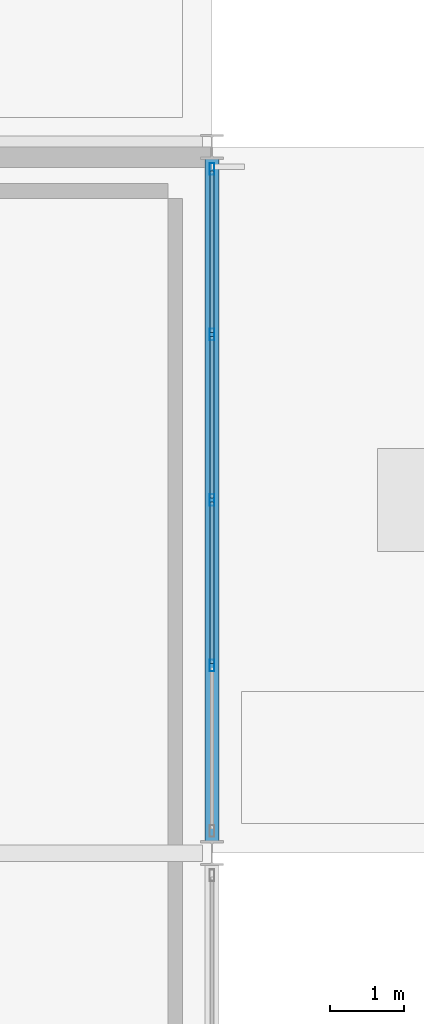
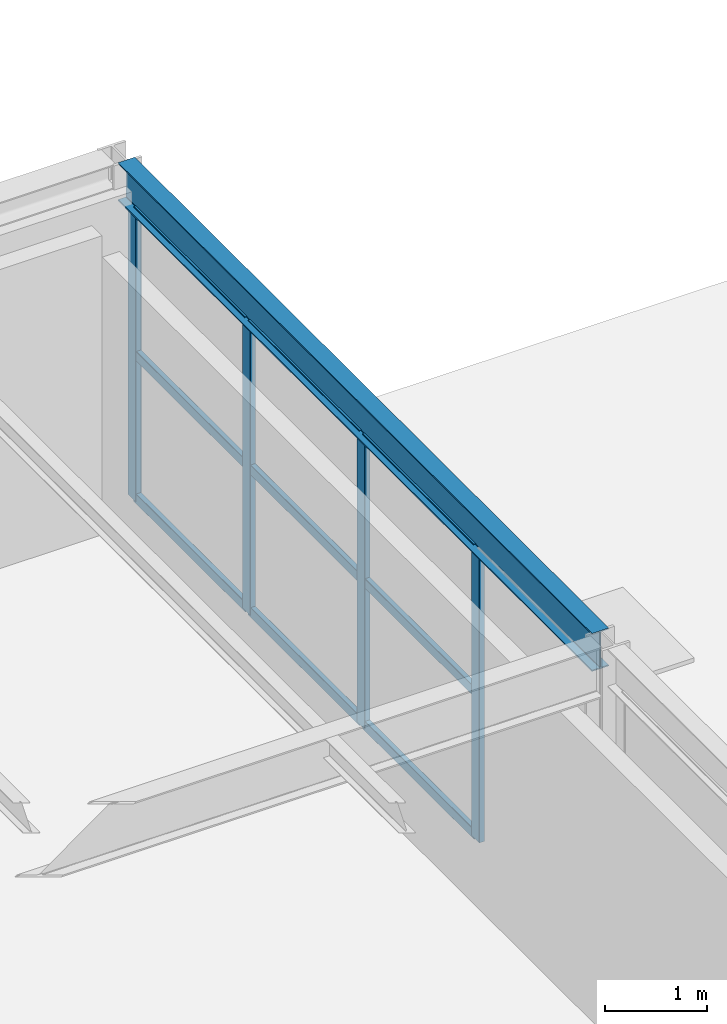
# One storey, part 37 of 126: 13 members, 1 beam, 1 element without a shape of its own.
"""IFC4 building model written with IfcOpenShell, lengths in metres."""

from ifc_helpers import new_model, si_unit, direction, frame, origin, origin_2d, place, context, subcontext, project, spatial, hollow_rectangle, i_section, extrude, material, material_profile, profile_set, type_object, element, aggregate, save


model = new_model("IFC4")

# Units and contexts
model_context = context("Model", 3, precision=1e-05, world=origin(), true_north=direction((0.0, 1.0)))
body_context = subcontext(model_context, "Body", "Model", "MODEL_VIEW")
ifc_project = project(units=[si_unit("LENGTHUNIT", "METRE"), si_unit("AREAUNIT", "SQUARE_METRE"), si_unit("VOLUMEUNIT", "CUBIC_METRE"), si_unit("PLANEANGLEUNIT", "RADIAN"), si_unit("MASSUNIT", "GRAM", prefix="KILO")], contexts=[model_context])

# Site, building, storey
site_placement = place(None, origin())
site = spatial("IfcSite", under=ifc_project, at=site_placement, CompositionType="ELEMENT")
building_placement = place(site_placement, origin())
building = spatial("IfcBuilding", under=site, at=building_placement, Name="Coralgate Yard Interchange", CompositionType="ELEMENT")
storey_placement = place(building_placement, frame((0.0, 0.0, 10.5)))
storey = spatial("IfcBuildingStorey", under=building, at=storey_placement, Name="L02", CompositionType="ELEMENT", Elevation=10.5)

# Beam
ifc_material_1 = material(Name="Structural steel S355J2", Category="steel")
ifc_material_profile_1 = material_profile(ifc_material_1, i_section(OverallWidth=0.1904296875, OverallDepth=0.45703125, WebThickness=0.009033203125, FlangeThickness=0.014404296875, FilletRadius=0.01025390625, at=origin_2d()), Name="UB 457x191x74")
ifc_profile_set_1 = profile_set([ifc_material_profile_1], Name="Structural steel S355J2")
beam_type = type_object("IfcBeamType", Name="BM-SB-2", PredefinedType="BEAM", material=ifc_profile_set_1)
beam_placement = place(storey_placement, frame((28.800048828125, 38.539794921875, 3.721435546875), z_axis=(0.0, 1.0, 0.0), x_axis=(-1.0, 0.0, 0.0)))
element("IfcBeam", 1, at=beam_placement, inside=storey, type_object=beam_type, Name="L02 primary grid girder X3 Y4-5", PredefinedType="BEAM", context=body_context, shape_type="SweptSolid", body=[
    extrude(i_section(OverallWidth=0.1904296875, OverallDepth=0.45703125, WebThickness=0.009033203125, FlangeThickness=0.014404296875, FilletRadius=0.01025390625, at=origin_2d()), origin(), (0.0, 0.0, 1.0), 9.3203125),
])

# Curtain wall, members
ifc_material_2 = material(Name="Anodised coastal aluminium and solar-control low-E glass", Category="aluminium")
curtain_wall_type = type_object("IfcCurtainWallType", Name="CW-CW-L02-A", PredefinedType="NOTDEFINED", material=ifc_material_2)
curtain_wall_placement = place(storey_placement, origin())
curtain_wall = element("IfcCurtainWall", 2, at=curtain_wall_placement, inside=storey, type_object=curtain_wall_type, Name="L02 unitised curtain wall CW-L02-E-02-04", PredefinedType="NOTDEFINED")
ifc_material_3 = material(Name="Anodised coastal aluminium 6063-T6", Category="aluminium")
ifc_material_profile_2 = material_profile(ifc_material_3, hollow_rectangle(XDim=0.06494140625, YDim=0.159912109375, WallThickness=0.00390625, InnerFilletRadius=0.00390625, OuterFilletRadius=0.008056640625, at=origin_2d()), Name="ALU 65x160x4")
ifc_profile_set_2 = profile_set([ifc_material_profile_2], Name="Anodised coastal aluminium 6063-T6")
member_type_1 = type_object("IfcMemberType", Name="MB-MUL-160", PredefinedType="MULLION", material=ifc_profile_set_2)
member_1_placement = place(storey_placement, frame((28.800048828125, 47.699951171875, 0.0), z_axis=(0.0, 0.0, 1.0), x_axis=(1.0, 0.0, 0.0)))
member_1 = element("IfcMember", 3, at=member_1_placement, type_object=member_type_1, Name="CW-L02-E-02-04 vertical mullion 1", PredefinedType="MULLION", context=body_context, shape_type="SweptSolid", body=[
    extrude(hollow_rectangle(XDim=0.06494140625, YDim=0.159912109375, WallThickness=0.00390625, InnerFilletRadius=0.00390625, OuterFilletRadius=0.008056640625, at=origin_2d()), origin(), (0.0, 0.0, 1.0), 3.492919921875),
])
member_2_placement = place(storey_placement, frame((28.800048828125, 45.449951171875, 0.0), z_axis=(0.0, 0.0, 1.0), x_axis=(1.0, 0.0, 0.0)))
member_2 = element("IfcMember", 4, at=member_2_placement, type_object=member_type_1, Name="CW-L02-E-02-04 vertical mullion 2", PredefinedType="MULLION", context=body_context, shape_type="SweptSolid", body=[
    extrude(hollow_rectangle(XDim=0.06494140625, YDim=0.159912109375, WallThickness=0.00390625, InnerFilletRadius=0.00390625, OuterFilletRadius=0.008056640625, at=origin_2d()), origin(), (0.0, 0.0, 1.0), 3.492919921875),
])
member_3_placement = place(storey_placement, frame((28.800048828125, 43.199951171875, 0.0), z_axis=(0.0, 0.0, 1.0), x_axis=(1.0, 0.0, 0.0)))
member_3 = element("IfcMember", 5, at=member_3_placement, type_object=member_type_1, Name="CW-L02-E-02-04 vertical mullion 3", PredefinedType="MULLION", context=body_context, shape_type="SweptSolid", body=[
    extrude(hollow_rectangle(XDim=0.06494140625, YDim=0.159912109375, WallThickness=0.00390625, InnerFilletRadius=0.00390625, OuterFilletRadius=0.008056640625, at=origin_2d()), origin(), (0.0, 0.0, 1.0), 3.492919921875),
])
member_4_placement = place(storey_placement, frame((28.800048828125, 40.949951171875, 0.0), z_axis=(0.0, 0.0, 1.0), x_axis=(1.0, 0.0, 0.0)))
member_4 = element("IfcMember", 6, at=member_4_placement, type_object=member_type_1, Name="CW-L02-E-02-04 vertical mullion 4", PredefinedType="MULLION", context=body_context, shape_type="SweptSolid", body=[
    extrude(hollow_rectangle(XDim=0.06494140625, YDim=0.159912109375, WallThickness=0.00390625, InnerFilletRadius=0.00390625, OuterFilletRadius=0.008056640625, at=origin_2d()), origin(), (0.0, 0.0, 1.0), 3.492919921875),
])
ifc_material_profile_3 = material_profile(ifc_material_3, hollow_rectangle(XDim=0.06005859375, YDim=0.1201171875, WallThickness=0.00341796875, InnerFilletRadius=0.00341796875, OuterFilletRadius=0.007080078125, at=origin_2d()), Name="ALU 60x120x3.5")
ifc_profile_set_3 = profile_set([ifc_material_profile_3], Name="Anodised coastal aluminium 6063-T6")
member_type_2 = type_object("IfcMemberType", Name="MB-TRN-120", PredefinedType="USERDEFINED", material=ifc_profile_set_3)
member_5_placement = place(storey_placement, frame((28.800048828125, 47.669921875, 0.034912109375), z_axis=(0.0, -1.0, 0.0), x_axis=(1.0, 0.0, 0.0)))
member_5 = element("IfcMember", 7, at=member_5_placement, type_object=member_type_2, Name="CW-L02-E-02-04 horizontal transom 1-1", ObjectType="TRANSOM", PredefinedType="USERDEFINED", context=body_context, shape_type="SweptSolid", body=[
    extrude(hollow_rectangle(XDim=0.06005859375, YDim=0.1201171875, WallThickness=0.00341796875, InnerFilletRadius=0.00341796875, OuterFilletRadius=0.007080078125, at=origin_2d()), origin(), (0.0, 0.0, 1.0), 2.18994140625),
])
member_6_placement = place(storey_placement, frame((28.800048828125, 47.669921875, 1.74658203125), z_axis=(0.0, -1.0, 0.0), x_axis=(1.0, 0.0, 0.0)))
member_6 = element("IfcMember", 8, at=member_6_placement, type_object=member_type_2, Name="CW-L02-E-02-04 horizontal transom 1-2", ObjectType="TRANSOM", PredefinedType="USERDEFINED", context=body_context, shape_type="SweptSolid", body=[
    extrude(hollow_rectangle(XDim=0.06005859375, YDim=0.1201171875, WallThickness=0.00341796875, InnerFilletRadius=0.00341796875, OuterFilletRadius=0.007080078125, at=origin_2d()), origin(), (0.0, 0.0, 1.0), 2.18994140625),
])
member_7_placement = place(storey_placement, frame((28.800048828125, 47.669921875, 3.4580078125), z_axis=(0.0, -1.0, 0.0), x_axis=(1.0, 0.0, 0.0)))
member_7 = element("IfcMember", 9, at=member_7_placement, type_object=member_type_2, Name="CW-L02-E-02-04 horizontal transom 1-3", ObjectType="TRANSOM", PredefinedType="USERDEFINED", context=body_context, shape_type="SweptSolid", body=[
    extrude(hollow_rectangle(XDim=0.06005859375, YDim=0.1201171875, WallThickness=0.00341796875, InnerFilletRadius=0.00341796875, OuterFilletRadius=0.007080078125, at=origin_2d()), origin(), (0.0, 0.0, 1.0), 2.18994140625),
])
member_8_placement = place(storey_placement, frame((28.800048828125, 45.419921875, 0.034912109375), z_axis=(0.0, -1.0, 0.0), x_axis=(1.0, 0.0, 0.0)))
member_8 = element("IfcMember", 10, at=member_8_placement, type_object=member_type_2, Name="CW-L02-E-02-04 horizontal transom 2-1", ObjectType="TRANSOM", PredefinedType="USERDEFINED", context=body_context, shape_type="SweptSolid", body=[
    extrude(hollow_rectangle(XDim=0.06005859375, YDim=0.1201171875, WallThickness=0.00341796875, InnerFilletRadius=0.00341796875, OuterFilletRadius=0.007080078125, at=origin_2d()), origin(), (0.0, 0.0, 1.0), 2.18994140625),
])
member_9_placement = place(storey_placement, frame((28.800048828125, 45.419921875, 1.74658203125), z_axis=(0.0, -1.0, 0.0), x_axis=(1.0, 0.0, 0.0)))
member_9 = element("IfcMember", 11, at=member_9_placement, type_object=member_type_2, Name="CW-L02-E-02-04 horizontal transom 2-2", ObjectType="TRANSOM", PredefinedType="USERDEFINED", context=body_context, shape_type="SweptSolid", body=[
    extrude(hollow_rectangle(XDim=0.06005859375, YDim=0.1201171875, WallThickness=0.00341796875, InnerFilletRadius=0.00341796875, OuterFilletRadius=0.007080078125, at=origin_2d()), origin(), (0.0, 0.0, 1.0), 2.18994140625),
])
member_10_placement = place(storey_placement, frame((28.800048828125, 45.419921875, 3.4580078125), z_axis=(0.0, -1.0, 0.0), x_axis=(1.0, 0.0, 0.0)))
member_10 = element("IfcMember", 12, at=member_10_placement, type_object=member_type_2, Name="CW-L02-E-02-04 horizontal transom 2-3", ObjectType="TRANSOM", PredefinedType="USERDEFINED", context=body_context, shape_type="SweptSolid", body=[
    extrude(hollow_rectangle(XDim=0.06005859375, YDim=0.1201171875, WallThickness=0.00341796875, InnerFilletRadius=0.00341796875, OuterFilletRadius=0.007080078125, at=origin_2d()), origin(), (0.0, 0.0, 1.0), 2.18994140625),
])
member_11_placement = place(storey_placement, frame((28.800048828125, 43.169921875, 0.034912109375), z_axis=(0.0, -1.0, 0.0), x_axis=(1.0, 0.0, 0.0)))
member_11 = element("IfcMember", 13, at=member_11_placement, type_object=member_type_2, Name="CW-L02-E-02-04 horizontal transom 3-1", ObjectType="TRANSOM", PredefinedType="USERDEFINED", context=body_context, shape_type="SweptSolid", body=[
    extrude(hollow_rectangle(XDim=0.06005859375, YDim=0.1201171875, WallThickness=0.00341796875, InnerFilletRadius=0.00341796875, OuterFilletRadius=0.007080078125, at=origin_2d()), origin(), (0.0, 0.0, 1.0), 2.18994140625),
])
member_12_placement = place(storey_placement, frame((28.800048828125, 43.169921875, 1.74658203125), z_axis=(0.0, -1.0, 0.0), x_axis=(1.0, 0.0, 0.0)))
member_12 = element("IfcMember", 14, at=member_12_placement, type_object=member_type_2, Name="CW-L02-E-02-04 horizontal transom 3-2", ObjectType="TRANSOM", PredefinedType="USERDEFINED", context=body_context, shape_type="SweptSolid", body=[
    extrude(hollow_rectangle(XDim=0.06005859375, YDim=0.1201171875, WallThickness=0.00341796875, InnerFilletRadius=0.00341796875, OuterFilletRadius=0.007080078125, at=origin_2d()), origin(), (0.0, 0.0, 1.0), 2.18994140625),
])
member_13_placement = place(storey_placement, frame((28.800048828125, 43.169921875, 3.4580078125), z_axis=(0.0, -1.0, 0.0), x_axis=(1.0, 0.0, 0.0)))
member_13 = element("IfcMember", 15, at=member_13_placement, type_object=member_type_2, Name="CW-L02-E-02-04 horizontal transom 3-3", ObjectType="TRANSOM", PredefinedType="USERDEFINED", context=body_context, shape_type="SweptSolid", body=[
    extrude(hollow_rectangle(XDim=0.06005859375, YDim=0.1201171875, WallThickness=0.00341796875, InnerFilletRadius=0.00341796875, OuterFilletRadius=0.007080078125, at=origin_2d()), origin(), (0.0, 0.0, 1.0), 2.18994140625),
])
aggregate(curtain_wall, [member_1, member_2, member_3, member_4, member_5, member_6, member_7, member_8, member_9, member_10, member_11, member_12, member_13])

save(model, "model.ifc")
